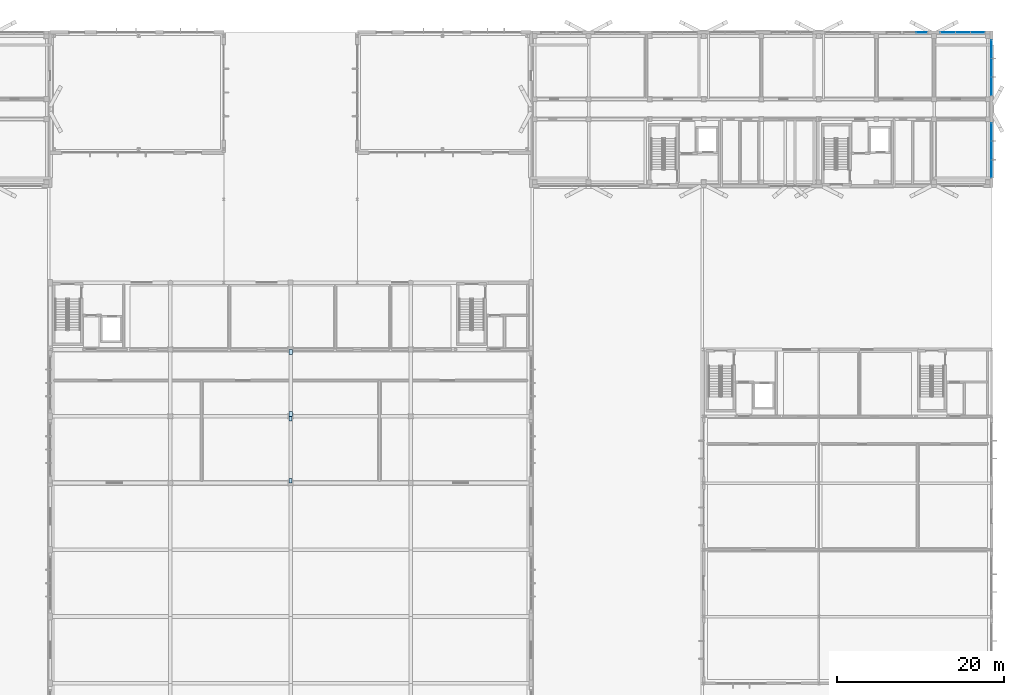
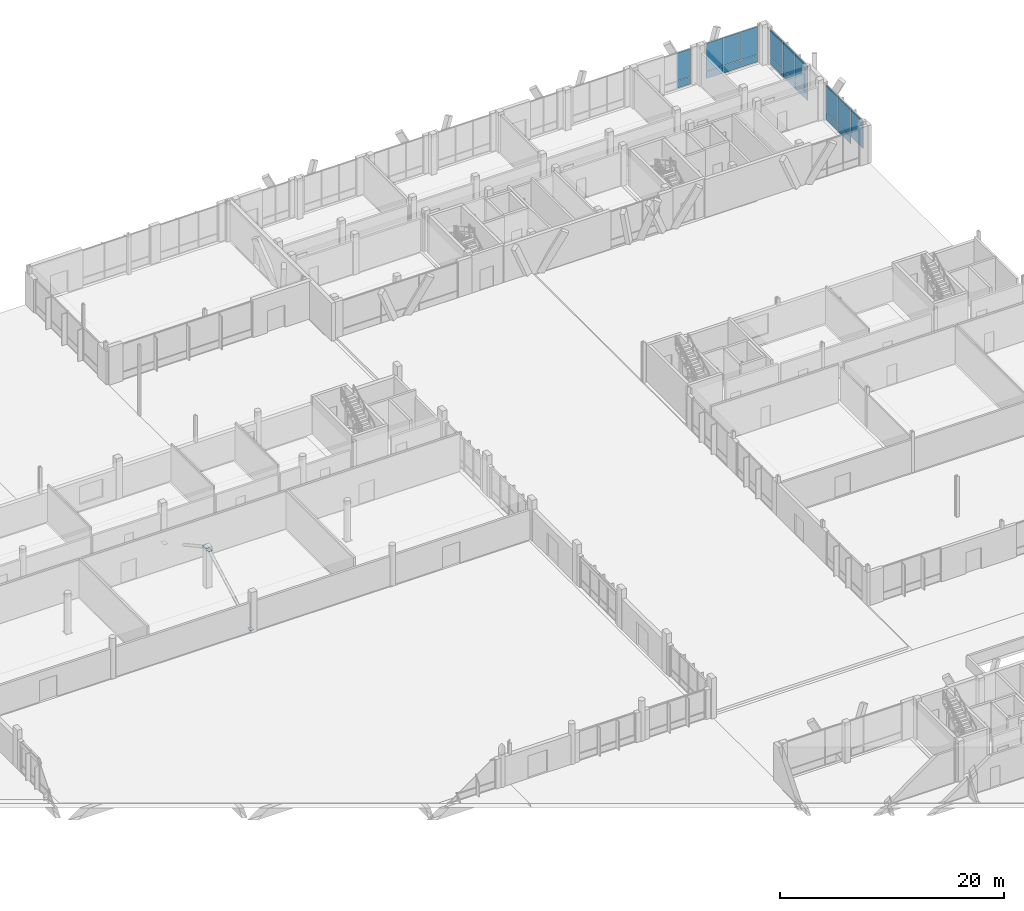
# One storey, part 189 of 233: 23 plates, 4 elements without a shape of their own.
"""IFC4 building model written with IfcOpenShell, lengths in metres."""

from ifc_helpers import new_model, si_unit, direction, frame, origin, origin_2d, place, context, subcontext, project, spatial, rectangle, extrude, material, layer, layer_set, type_object, element, aggregate, save


model = new_model("IFC4")

# Units and contexts
model_context = context("Model", 3, precision=1e-05, world=origin(), true_north=direction((0.0, 1.0)))
body_context = subcontext(model_context, "Body", "Model", "MODEL_VIEW")
ifc_project = project(units=[si_unit("LENGTHUNIT", "METRE"), si_unit("AREAUNIT", "SQUARE_METRE"), si_unit("VOLUMEUNIT", "CUBIC_METRE"), si_unit("PLANEANGLEUNIT", "RADIAN"), si_unit("MASSUNIT", "GRAM", prefix="KILO")], contexts=[model_context])

# Site, building, storey
site_placement = place(None, origin())
site = spatial("IfcSite", under=ifc_project, at=site_placement, CompositionType="ELEMENT")
building_placement = place(site_placement, origin())
building = spatial("IfcBuilding", under=site, at=building_placement, Name="Zavelmont Quarter", CompositionType="ELEMENT")
storey_placement = place(building_placement, origin())
storey = spatial("IfcBuildingStorey", under=building, at=storey_placement, Name="L00", CompositionType="ELEMENT", Elevation=0.0)

# Curtain wall, plate
ifc_material_1 = material(Name="Thermally broken aluminium and double low-E safety glazing", Category="aluminium")
curtain_wall_type_1 = type_object("IfcCurtainWallType", Name="CW-285X395", PredefinedType="NOTDEFINED", material=ifc_material_1)
curtain_wall_1_placement = place(storey_placement, origin())
curtain_wall_1 = element("IfcCurtainWall", 1, at=curtain_wall_1_placement, inside=storey, type_object=curtain_wall_type_1, Name="L00 unitised curtain wall CW-285X395", PredefinedType="NOTDEFINED")
ifc_material_2 = material(Name="Insulated anodised-aluminium spandrel panel", Category="aluminium")
ifc_layer_1 = layer(ifc_material_2, 0.0400390625)
ifc_layer_set_1 = layer_set([ifc_layer_1], Name="Insulated anodised-aluminium spandrel panel")
plate_type_1 = type_object("IfcPlateType", Name="CWP-SPD-1335X760", PredefinedType="CURTAIN_PANEL", material=ifc_layer_set_1)
plate_1_placement = place(storey_placement, frame((159.62255859375, 116.0, 0.06005859375), z_axis=(0.0, 0.0, 1.0), x_axis=(1.0, 0.0, 0.0)))
plate_1 = element("IfcPlate", 2, at=plate_1_placement, type_object=plate_type_1, Name="CW-285X395 panel 2.1", PredefinedType="CURTAIN_PANEL", context=body_context, shape_type="SweptSolid", body=[
    extrude(rectangle(XDim=1.3349609375, YDim=0.0400390625, at=origin_2d()), origin(), (0.0, 0.0, 1.0), 0.760009765625),
])

# Curtain wall, plates
curtain_wall_type_2 = type_object("IfcCurtainWallType", Name="CW-540X395", PredefinedType="NOTDEFINED", material=ifc_material_1)
curtain_wall_2_placement = place(storey_placement, origin())
curtain_wall_2 = element("IfcCurtainWall", 3, at=curtain_wall_2_placement, inside=storey, type_object=curtain_wall_type_2, Name="L00 unitised curtain wall CW-540X395", PredefinedType="NOTDEFINED")
ifc_layer_2 = layer(ifc_material_2, 0.0400390625)
ifc_layer_set_2 = layer_set([ifc_layer_2], Name="Insulated anodised-aluminium spandrel panel")
plate_type_2 = type_object("IfcPlateType", Name="CWP-SPD-1710X760", PredefinedType="CURTAIN_PANEL", material=ifc_layer_set_2)
plate_2_placement = place(storey_placement, frame((162.764892578125, 116.0, 0.06005859375), z_axis=(0.0, 0.0, 1.0), x_axis=(1.0, 0.0, 0.0)))
plate_2 = element("IfcPlate", 4, at=plate_2_placement, type_object=plate_type_2, Name="CW-540X395 panel 1.1", PredefinedType="CURTAIN_PANEL", context=body_context, shape_type="SweptSolid", body=[
    extrude(rectangle(XDim=1.7099609375, YDim=0.0400390625, at=origin_2d()), origin(), (0.0, 0.0, 1.0), 0.760009765625),
])
plate_3_placement = place(storey_placement, frame((166.3349609375, 116.0, 0.06005859375), z_axis=(0.0, 0.0, 1.0), x_axis=(1.0, 0.0, 0.0)))
plate_3 = element("IfcPlate", 5, at=plate_3_placement, type_object=plate_type_2, Name="CW-540X395 panel 3.1", PredefinedType="CURTAIN_PANEL", context=body_context, shape_type="SweptSolid", body=[
    extrude(rectangle(XDim=1.7099609375, YDim=0.0400390625, at=origin_2d()), origin(), (0.0, 0.0, 1.0), 0.760009765625),
])
ifc_layer_3 = layer(ifc_material_2, 0.0400390625)
ifc_layer_set_3 = layer_set([ifc_layer_3], Name="Insulated anodised-aluminium spandrel panel")
plate_type_3 = type_object("IfcPlateType", Name="CWP-SPD-1740X760", PredefinedType="CURTAIN_PANEL", material=ifc_layer_set_3)
plate_4_placement = place(storey_placement, frame((164.550048828125, 116.0, 0.06005859375), z_axis=(0.0, 0.0, 1.0), x_axis=(1.0, 0.0, 0.0)))
plate_4 = element("IfcPlate", 6, at=plate_4_placement, type_object=plate_type_3, Name="CW-540X395 panel 2.1", PredefinedType="CURTAIN_PANEL", context=body_context, shape_type="SweptSolid", body=[
    extrude(rectangle(XDim=1.739990234375, YDim=0.0400390625, at=origin_2d()), origin(), (0.0, 0.0, 1.0), 0.760009765625),
])

# Curtain wall, plate
curtain_wall_type_3 = type_object("IfcCurtainWallType", Name="CW-670X395", PredefinedType="NOTDEFINED", material=ifc_material_1)
curtain_wall_3_placement = place(storey_placement, origin())
curtain_wall_3 = element("IfcCurtainWall", 7, at=curtain_wall_3_placement, inside=storey, type_object=curtain_wall_type_3, Name="L00 unitised curtain wall CW-670X395", PredefinedType="NOTDEFINED")
ifc_layer_4 = layer(ifc_material_2, 0.0400390625)
ifc_layer_set_4 = layer_set([ifc_layer_4], Name="Insulated anodised-aluminium spandrel panel")
plate_type_4 = type_object("IfcPlateType", Name="CWP-SPD-2145X760", PredefinedType="CURTAIN_PANEL", material=ifc_layer_set_4)
plate_5_placement = place(storey_placement, frame((168.0, 104.068359375, 0.06005859375), z_axis=(0.0, 0.0, 1.0), x_axis=(0.0, 1.0, 0.0)))
plate_5 = element("IfcPlate", 8, at=plate_5_placement, type_object=plate_type_4, Name="CW-670X395 panel 3.1", PredefinedType="CURTAIN_PANEL", context=body_context, shape_type="SweptSolid", body=[
    extrude(rectangle(XDim=2.143310546875, YDim=0.0400390625, at=origin_2d()), origin(), (0.0, 0.0, 1.0), 0.760009765625),
])

# Curtain wall, plates
curtain_wall_4_placement = place(storey_placement, origin())
curtain_wall_4 = element("IfcCurtainWall", 9, at=curtain_wall_4_placement, inside=storey, type_object=curtain_wall_type_3, Name="L00 unitised curtain wall CW-670X395", PredefinedType="NOTDEFINED")
plate_6_placement = place(storey_placement, frame((168.0, 109.53173828125, 0.06005859375), z_axis=(0.0, 0.0, 1.0), x_axis=(0.0, 1.0, 0.0)))
plate_6 = element("IfcPlate", 10, at=plate_6_placement, type_object=plate_type_4, Name="CW-670X395 panel 1.1", PredefinedType="CURTAIN_PANEL", context=body_context, shape_type="SweptSolid", body=[
    extrude(rectangle(XDim=2.143310546875, YDim=0.0400390625, at=origin_2d()), origin(), (0.0, 0.0, 1.0), 0.760009765625),
])
plate_7_placement = place(storey_placement, frame((168.0, 113.96826171875, 0.06005859375), z_axis=(0.0, 0.0, 1.0), x_axis=(0.0, 1.0, 0.0)))
plate_7 = element("IfcPlate", 11, at=plate_7_placement, type_object=plate_type_4, Name="CW-670X395 panel 3.1", PredefinedType="CURTAIN_PANEL", context=body_context, shape_type="SweptSolid", body=[
    extrude(rectangle(XDim=2.143310546875, YDim=0.0400390625, at=origin_2d()), origin(), (0.0, 0.0, 1.0), 0.760009765625),
])

# Plate
ifc_layer_5 = layer(ifc_material_2, 0.0400390625)
ifc_layer_set_5 = layer_set([ifc_layer_5], Name="Insulated anodised-aluminium spandrel panel")
plate_type_5 = type_object("IfcPlateType", Name="CWP-SPD-2175X760", PredefinedType="CURTAIN_PANEL", material=ifc_layer_set_5)
plate_8_placement = place(storey_placement, frame((168.0, 101.85009765625, 0.06005859375), z_axis=(0.0, 0.0, 1.0), x_axis=(0.0, 1.0, 0.0)))
plate_8 = element("IfcPlate", 12, at=plate_8_placement, type_object=plate_type_5, Name="CW-670X395 panel 2.1", PredefinedType="CURTAIN_PANEL", context=body_context, shape_type="SweptSolid", body=[
    extrude(rectangle(XDim=2.17333984375, YDim=0.0400390625, at=origin_2d()), origin(), (0.0, 0.0, 1.0), 0.760009765625),
])

plate_9_placement = place(storey_placement, frame((168.0, 111.75, 0.06005859375), z_axis=(0.0, 0.0, 1.0), x_axis=(0.0, 1.0, 0.0)))
plate_9 = element("IfcPlate", 13, at=plate_9_placement, type_object=plate_type_5, Name="CW-670X395 panel 2.1", PredefinedType="CURTAIN_PANEL", context=body_context, shape_type="SweptSolid", body=[
    extrude(rectangle(XDim=2.17333984375, YDim=0.0400390625, at=origin_2d()), origin(), (0.0, 0.0, 1.0), 0.760009765625),
])

ifc_material_3 = material(Name="Double low-E insulated vision glass", Category="glass")
ifc_layer_6 = layer(ifc_material_3, 0.028076171875)
ifc_layer_set_6 = layer_set([ifc_layer_6], Name="Double low-E insulated vision glass")
plate_type_6 = type_object("IfcPlateType", Name="CWP-VIS-1335X3010", PredefinedType="CURTAIN_PANEL", material=ifc_layer_set_6)
plate_10_placement = place(storey_placement, frame((159.62255859375, 116.0, 0.8798828125), z_axis=(0.0, 0.0, 1.0), x_axis=(1.0, 0.0, 0.0)))
plate_10 = element("IfcPlate", 14, at=plate_10_placement, type_object=plate_type_6, Name="CW-285X395 panel 2.2", PredefinedType="CURTAIN_PANEL", context=body_context, shape_type="SweptSolid", body=[
    extrude(rectangle(XDim=1.3349609375, YDim=0.028076171875, at=origin_2d()), origin(), (0.0, 0.0, 1.0), 3.010009765625),
])

aggregate(curtain_wall_1, [plate_1, plate_10])

ifc_layer_7 = layer(ifc_material_3, 0.028076171875)
ifc_layer_set_7 = layer_set([ifc_layer_7], Name="Double low-E insulated vision glass")
plate_type_7 = type_object("IfcPlateType", Name="CWP-VIS-1710X3010", PredefinedType="CURTAIN_PANEL", material=ifc_layer_set_7)
plate_11_placement = place(storey_placement, frame((162.764892578125, 116.0, 0.8798828125), z_axis=(0.0, 0.0, 1.0), x_axis=(1.0, 0.0, 0.0)))
plate_11 = element("IfcPlate", 15, at=plate_11_placement, type_object=plate_type_7, Name="CW-540X395 panel 1.2", PredefinedType="CURTAIN_PANEL", context=body_context, shape_type="SweptSolid", body=[
    extrude(rectangle(XDim=1.7099609375, YDim=0.028076171875, at=origin_2d()), origin(), (0.0, 0.0, 1.0), 3.010009765625),
])

plate_12_placement = place(storey_placement, frame((166.3349609375, 116.0, 0.8798828125), z_axis=(0.0, 0.0, 1.0), x_axis=(1.0, 0.0, 0.0)))
plate_12 = element("IfcPlate", 16, at=plate_12_placement, type_object=plate_type_7, Name="CW-540X395 panel 3.2", PredefinedType="CURTAIN_PANEL", context=body_context, shape_type="SweptSolid", body=[
    extrude(rectangle(XDim=1.7099609375, YDim=0.028076171875, at=origin_2d()), origin(), (0.0, 0.0, 1.0), 3.010009765625),
])

ifc_layer_8 = layer(ifc_material_3, 0.028076171875)
ifc_layer_set_8 = layer_set([ifc_layer_8], Name="Double low-E insulated vision glass")
plate_type_8 = type_object("IfcPlateType", Name="CWP-VIS-1740X3010", PredefinedType="CURTAIN_PANEL", material=ifc_layer_set_8)
plate_13_placement = place(storey_placement, frame((164.550048828125, 116.0, 0.8798828125), z_axis=(0.0, 0.0, 1.0), x_axis=(1.0, 0.0, 0.0)))
plate_13 = element("IfcPlate", 17, at=plate_13_placement, type_object=plate_type_8, Name="CW-540X395 panel 2.2", PredefinedType="CURTAIN_PANEL", context=body_context, shape_type="SweptSolid", body=[
    extrude(rectangle(XDim=1.739990234375, YDim=0.028076171875, at=origin_2d()), origin(), (0.0, 0.0, 1.0), 3.010009765625),
])

aggregate(curtain_wall_2, [plate_2, plate_11, plate_4, plate_13, plate_3, plate_12])

ifc_layer_9 = layer(ifc_material_3, 0.028076171875)
ifc_layer_set_9 = layer_set([ifc_layer_9], Name="Double low-E insulated vision glass")
plate_type_9 = type_object("IfcPlateType", Name="CWP-VIS-2145X3010", PredefinedType="CURTAIN_PANEL", material=ifc_layer_set_9)
plate_14_placement = place(storey_placement, frame((168.0, 99.631591796875, 0.8798828125), z_axis=(0.0, 0.0, 1.0), x_axis=(0.0, 1.0, 0.0)))
plate_14 = element("IfcPlate", 18, at=plate_14_placement, type_object=plate_type_9, Name="CW-670X395 panel 1.2", PredefinedType="CURTAIN_PANEL", context=body_context, shape_type="SweptSolid", body=[
    extrude(rectangle(XDim=2.143310546875, YDim=0.028076171875, at=origin_2d()), origin(), (0.0, 0.0, 1.0), 3.010009765625),
])

plate_15_placement = place(storey_placement, frame((168.0, 104.068359375, 0.8798828125), z_axis=(0.0, 0.0, 1.0), x_axis=(0.0, 1.0, 0.0)))
plate_15 = element("IfcPlate", 19, at=plate_15_placement, type_object=plate_type_9, Name="CW-670X395 panel 3.2", PredefinedType="CURTAIN_PANEL", context=body_context, shape_type="SweptSolid", body=[
    extrude(rectangle(XDim=2.143310546875, YDim=0.028076171875, at=origin_2d()), origin(), (0.0, 0.0, 1.0), 3.010009765625),
])

plate_16_placement = place(storey_placement, frame((168.0, 109.53173828125, 0.8798828125), z_axis=(0.0, 0.0, 1.0), x_axis=(0.0, 1.0, 0.0)))
plate_16 = element("IfcPlate", 20, at=plate_16_placement, type_object=plate_type_9, Name="CW-670X395 panel 1.2", PredefinedType="CURTAIN_PANEL", context=body_context, shape_type="SweptSolid", body=[
    extrude(rectangle(XDim=2.143310546875, YDim=0.028076171875, at=origin_2d()), origin(), (0.0, 0.0, 1.0), 3.010009765625),
])

plate_17_placement = place(storey_placement, frame((168.0, 113.96826171875, 0.8798828125), z_axis=(0.0, 0.0, 1.0), x_axis=(0.0, 1.0, 0.0)))
plate_17 = element("IfcPlate", 21, at=plate_17_placement, type_object=plate_type_9, Name="CW-670X395 panel 3.2", PredefinedType="CURTAIN_PANEL", context=body_context, shape_type="SweptSolid", body=[
    extrude(rectangle(XDim=2.143310546875, YDim=0.028076171875, at=origin_2d()), origin(), (0.0, 0.0, 1.0), 3.010009765625),
])

ifc_layer_10 = layer(ifc_material_3, 0.028076171875)
ifc_layer_set_10 = layer_set([ifc_layer_10], Name="Double low-E insulated vision glass")
plate_type_10 = type_object("IfcPlateType", Name="CWP-VIS-2175X3010", PredefinedType="CURTAIN_PANEL", material=ifc_layer_set_10)
plate_18_placement = place(storey_placement, frame((168.0, 101.85009765625, 0.8798828125), z_axis=(0.0, 0.0, 1.0), x_axis=(0.0, 1.0, 0.0)))
plate_18 = element("IfcPlate", 22, at=plate_18_placement, type_object=plate_type_10, Name="CW-670X395 panel 2.2", PredefinedType="CURTAIN_PANEL", context=body_context, shape_type="SweptSolid", body=[
    extrude(rectangle(XDim=2.17333984375, YDim=0.028076171875, at=origin_2d()), origin(), (0.0, 0.0, 1.0), 3.010009765625),
])

aggregate(curtain_wall_3, [plate_14, plate_8, plate_18, plate_5, plate_15])

plate_19_placement = place(storey_placement, frame((168.0, 111.75, 0.8798828125), z_axis=(0.0, 0.0, 1.0), x_axis=(0.0, 1.0, 0.0)))
plate_19 = element("IfcPlate", 23, at=plate_19_placement, type_object=plate_type_10, Name="CW-670X395 panel 2.2", PredefinedType="CURTAIN_PANEL", context=body_context, shape_type="SweptSolid", body=[
    extrude(rectangle(XDim=2.17333984375, YDim=0.028076171875, at=origin_2d()), origin(), (0.0, 0.0, 1.0), 3.010009765625),
])

aggregate(curtain_wall_4, [plate_6, plate_16, plate_9, plate_19, plate_7, plate_17])

# Plates
ifc_material_4 = material(Name="Steel S355", Category="steel")
ifc_layer_11 = layer(ifc_material_4, 0.028076171875)
ifc_layer_set_11 = layer_set([ifc_layer_11], Name="Steel S355")
plate_type_11 = type_object("IfcPlateType", Name="NP04", PredefinedType="SHEET", material=ifc_layer_set_11)
for number, where, z_axis, x_axis, name in (
    (24, (84.0, 62.280029296875, 0.005859375), (0.0, 0.0, 1.0), (0.0, 1.0, 0.0), "L00 steel connection plate NP04 at 13/K"),
    (25, (84.0, 69.719970703125, 4.0859375), (0.0, 0.0, 1.0), (0.0, 1.0, 0.0), "L00 steel connection plate NP04 at 13/L"),
):
    element("IfcPlate", number, at=place(storey_placement, frame(where, z_axis=z_axis, x_axis=x_axis)), inside=storey, type_object=plate_type_11, Name=name, PredefinedType="SHEET", context=body_context, shape_type="SweptSolid", body=[
        extrude(rectangle(XDim=0.52001953125, YDim=0.360107421875, at=origin_2d()), origin(), (0.0, 0.0, 1.0), 0.028076171875),
    ])
ifc_layer_12 = layer(ifc_material_4, 0.030029296875)
ifc_layer_set_12 = layer_set([ifc_layer_12], Name="Steel S355")
plate_type_12 = type_object("IfcPlateType", Name="NP05", PredefinedType="SHEET", material=ifc_layer_set_12)
for number, where, z_axis, x_axis, name in (
    (26, (84.0, 70.280029296875, 4.0849609375), (0.0, 0.0, 1.0), (0.0, 1.0, 0.0), "L00 steel connection plate NP05 at 13/L"),
    (27, (84.0, 77.719970703125, 0.0048828125), (0.0, 0.0, 1.0), (0.0, 1.0, 0.0), "L00 steel connection plate NP05 at 13/M"),
):
    element("IfcPlate", number, at=place(storey_placement, frame(where, z_axis=z_axis, x_axis=x_axis)), inside=storey, type_object=plate_type_12, Name=name, PredefinedType="SHEET", context=body_context, shape_type="SweptSolid", body=[
        extrude(rectangle(XDim=0.60009765625, YDim=0.39990234375, at=origin_2d()), origin(), (0.0, 0.0, 1.0), 0.030029296875),
    ])

save(model, "model.ifc")
